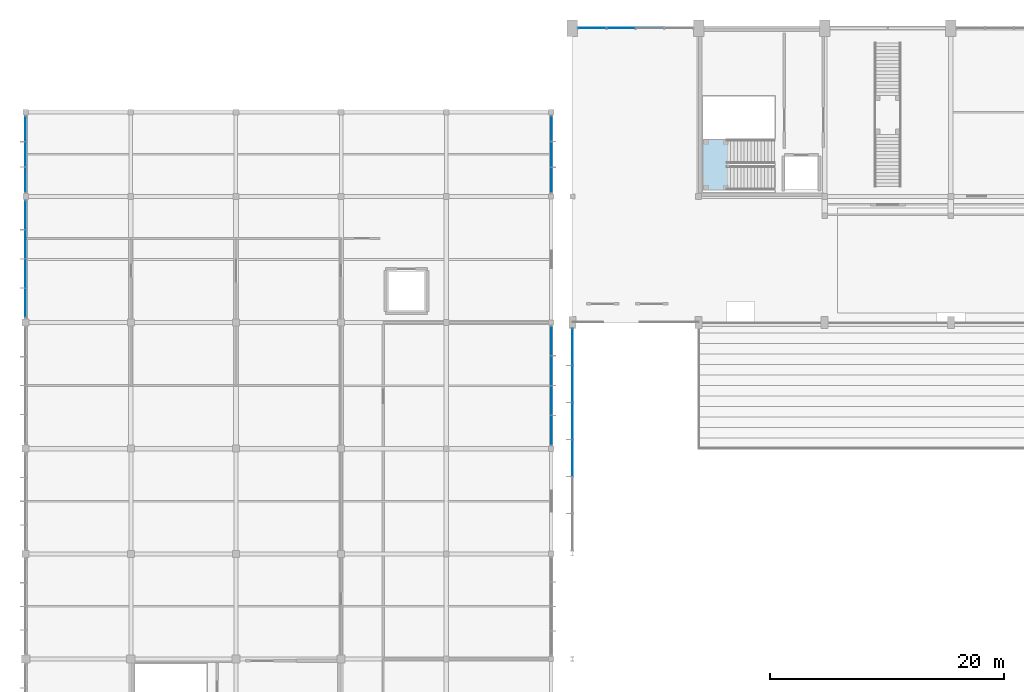
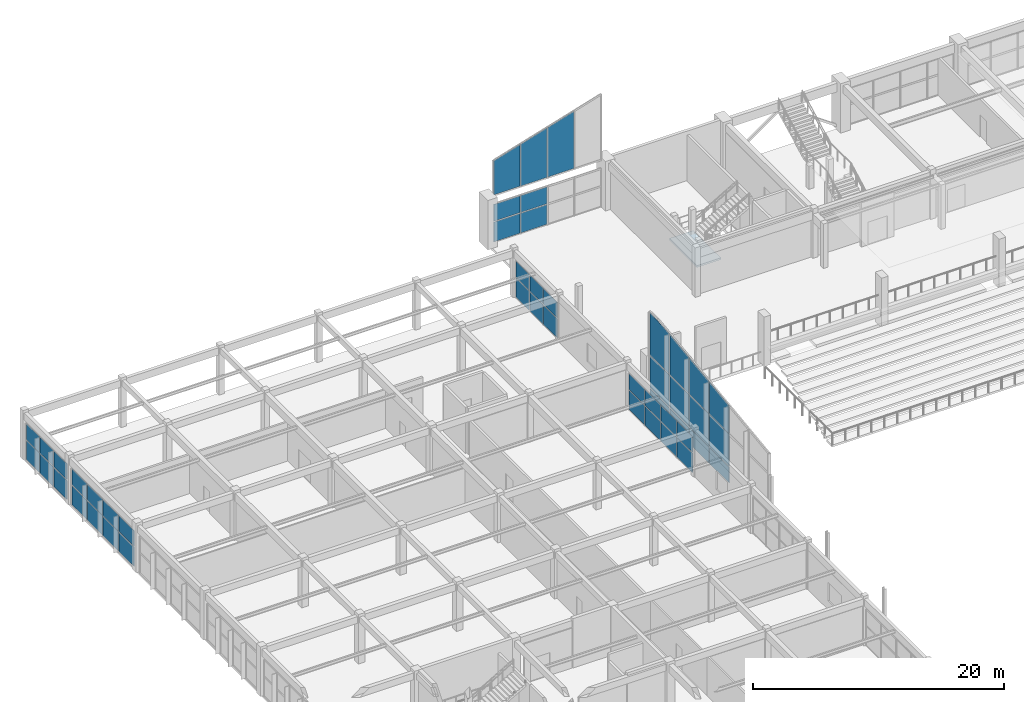
# One storey, part 42 of 74: 47 plates, 1 slab, 8 elements without a shape of their own.
"""IFC4 building model written with IfcOpenShell, lengths in metres."""

from ifc_helpers import new_model, si_unit, direction, frame, origin, place, context, subcontext, project, spatial, polyline, outline, extrude, material, layer, layer_set, type_object, element, aggregate, save


model = new_model("IFC4")

# Units and contexts
model_context = context("Model", 3, precision=1e-05, world=origin(), true_north=direction((0.0, 1.0)))
body_context = subcontext(model_context, "Body", "Model", "MODEL_VIEW")
ifc_project = project(units=[si_unit("LENGTHUNIT", "METRE"), si_unit("AREAUNIT", "SQUARE_METRE"), si_unit("VOLUMEUNIT", "CUBIC_METRE"), si_unit("PLANEANGLEUNIT", "RADIAN"), si_unit("MASSUNIT", "GRAM", prefix="KILO")], contexts=[model_context])

# Site, building, storey
site_placement = place(None, origin())
site = spatial("IfcSite", under=ifc_project, at=site_placement, CompositionType="ELEMENT")
building_placement = place(site_placement, origin())
building = spatial("IfcBuilding", under=site, at=building_placement, Name="Suirenkawa Promenade Aquatics Centre", CompositionType="ELEMENT")
storey_placement = place(building_placement, frame((0.0, 0.0, 4.800048828125)))
storey = spatial("IfcBuildingStorey", under=building, at=storey_placement, Name="L01", CompositionType="ELEMENT", Elevation=4.800048828125)

# Curtain wall, plates
ifc_material_1 = material(Name="Anodised aluminium 6063-T6", Category="aluminium")
curtain_wall_type_1 = type_object("IfcCurtainWallType", Name="CWAT-CLERN-06", PredefinedType="NOTDEFINED", material=ifc_material_1)
curtain_wall_1_placement = place(storey_placement, origin())
curtain_wall_1 = element("IfcCurtainWall", 1, at=curtain_wall_1_placement, inside=storey, type_object=curtain_wall_type_1, Name="Curtain wall CWA-06 CW-010", PredefinedType="NOTDEFINED")
ifc_material_2 = material(Name="Ceramic-fritted low-SHGC double glazing", Category="glass")
ifc_layer_1 = layer(ifc_material_2, 0.031982421875, Name="Ceramic-fritted low-SHGC double glazing", Category="glass")
ifc_layer_set_1 = layer_set([ifc_layer_1], Name="Ceramic-fritted low-SHGC double glazing")
plate_type_1 = type_object("IfcPlateType", Name="CWP-CLER-32", PredefinedType="CURTAIN_PANEL", material=ifc_layer_set_1)
plate_1_placement = place(storey_placement, frame((47.2490234375, 122.39990234375, 4.599853515625), z_axis=(0.0, 0.0, 1.0), x_axis=(1.0, 0.0, 0.0)))
plate_1 = element("IfcPlate", 2, at=plate_1_placement, type_object=plate_type_1, Name="Top glazed panel CP-03 CWP-00239", PredefinedType="CURTAIN_PANEL", context=body_context, shape_type="SweptSolid", body=[
    extrude(outline(polyline([(0.0400390625, 0.0), (2.435546875, 0.0), (2.435546875, 4.06005859375), (0.0400390625, 3.31005859375), (0.0400390625, 0.0)])), frame((0.0, 0.01611328125, 0.0), z_axis=(0.0, -1.0, 0.0), x_axis=(1.0, 0.0, 0.0)), (0.0, 0.0, 1.0), 0.031982421875),
])
plate_2_placement = place(storey_placement, frame((49.724609375, 122.39990234375, 4.599853515625), z_axis=(0.0, 0.0, 1.0), x_axis=(1.0, 0.0, 0.0)))
plate_2 = element("IfcPlate", 3, at=plate_2_placement, type_object=plate_type_1, Name="Top glazed panel CP-03 CWP-00240", PredefinedType="CURTAIN_PANEL", context=body_context, shape_type="SweptSolid", body=[
    extrude(outline(polyline([(0.0400390625, 0.0), (2.435546875, 0.0), (2.435546875, 4.81005859375), (0.0400390625, 4.06005859375), (0.0400390625, 0.0)])), frame((0.0, 0.01611328125, 0.0), z_axis=(0.0, -1.0, 0.0), x_axis=(1.0, 0.0, 0.0)), (0.0, 0.0, 1.0), 0.031982421875),
])
plate_3_placement = place(storey_placement, frame((52.199951171875, 122.39990234375, 4.599853515625), z_axis=(0.0, 0.0, 1.0), x_axis=(1.0, 0.0, 0.0)))
plate_3 = element("IfcPlate", 4, at=plate_3_placement, type_object=plate_type_1, Name="Top glazed panel CP-03 CWP-00241", PredefinedType="CURTAIN_PANEL", context=body_context, shape_type="SweptSolid", body=[
    extrude(outline(polyline([(0.0400390625, 0.0), (2.435546875, 0.0), (2.435546875, 5.56005859375), (0.0400390625, 4.81005859375), (0.0400390625, 0.0)])), frame((0.0, 0.01611328125, 0.0), z_axis=(0.0, -1.0, 0.0), x_axis=(1.0, 0.0, 0.0)), (0.0, 0.0, 1.0), 0.031982421875),
])
aggregate(curtain_wall_1, [plate_1, plate_2, plate_3])

curtain_wall_type_2 = type_object("IfcCurtainWallType", Name="CWAT-V1CONC-07", PredefinedType="NOTDEFINED", material=ifc_material_1)
curtain_wall_2_placement = place(storey_placement, origin())
curtain_wall_2 = element("IfcCurtainWall", 5, at=curtain_wall_2_placement, inside=storey, type_object=curtain_wall_type_2, Name="Curtain wall CWA-07 CW-011", PredefinedType="NOTDEFINED")
ifc_material_3 = material(Name="Low-E thermally broken double glazing", Category="glass")
ifc_layer_2 = layer(ifc_material_3, 0.028076171875, Name="Low-E thermally broken double glazing", Category="glass")
ifc_layer_set_2 = layer_set([ifc_layer_2], Name="Low-E thermally broken double glazing")
plate_type_2 = type_object("IfcPlateType", Name="CWP-LOWE-28", PredefinedType="CURTAIN_PANEL", material=ifc_layer_set_2)
plate_4_placement = place(storey_placement, frame((47.2490234375, 122.39990234375, 0.0400390625), z_axis=(0.0, 0.0, 1.0), x_axis=(1.0, 0.0, 0.0)))
plate_4 = element("IfcPlate", 6, at=plate_4_placement, type_object=plate_type_2, Name="Glazed panel CP-02 CWP-00257", PredefinedType="CURTAIN_PANEL", context=body_context, shape_type="SweptSolid", body=[
    extrude(outline(polyline([(0.0400390625, 0.0), (2.435546875, 0.0), (2.435546875, 1.919921875), (0.0400390625, 1.919921875), (0.0400390625, 0.0)])), frame((0.0, 0.01416015625, 0.0), z_axis=(0.0, -1.0, 0.0), x_axis=(1.0, 0.0, 0.0)), (0.0, 0.0, 1.0), 0.028076171875),
])
plate_5_placement = place(storey_placement, frame((47.2490234375, 122.39990234375, 2.0400390625), z_axis=(0.0, 0.0, 1.0), x_axis=(1.0, 0.0, 0.0)))
plate_5 = element("IfcPlate", 7, at=plate_5_placement, type_object=plate_type_2, Name="Top glazed panel CP-02 CWP-00258", PredefinedType="CURTAIN_PANEL", context=body_context, shape_type="SweptSolid", body=[
    extrude(outline(polyline([(0.0400390625, 0.0), (2.435546875, 0.0), (2.435546875, 1.639892578125), (0.0400390625, 1.639892578125), (0.0400390625, 0.0)])), frame((0.0, 0.01416015625, 0.0), z_axis=(0.0, -1.0, 0.0), x_axis=(1.0, 0.0, 0.0)), (0.0, 0.0, 1.0), 0.028076171875),
])
plate_6_placement = place(storey_placement, frame((49.724609375, 122.39990234375, 0.0400390625), z_axis=(0.0, 0.0, 1.0), x_axis=(1.0, 0.0, 0.0)))
plate_6 = element("IfcPlate", 8, at=plate_6_placement, type_object=plate_type_2, Name="Glazed panel CP-02 CWP-00259", PredefinedType="CURTAIN_PANEL", context=body_context, shape_type="SweptSolid", body=[
    extrude(outline(polyline([(0.0400390625, 0.0), (2.435546875, 0.0), (2.435546875, 1.919921875), (0.0400390625, 1.919921875), (0.0400390625, 0.0)])), frame((0.0, 0.01416015625, 0.0), z_axis=(0.0, -1.0, 0.0), x_axis=(1.0, 0.0, 0.0)), (0.0, 0.0, 1.0), 0.028076171875),
])
plate_7_placement = place(storey_placement, frame((49.724609375, 122.39990234375, 2.0400390625), z_axis=(0.0, 0.0, 1.0), x_axis=(1.0, 0.0, 0.0)))
plate_7 = element("IfcPlate", 9, at=plate_7_placement, type_object=plate_type_2, Name="Top glazed panel CP-02 CWP-00260", PredefinedType="CURTAIN_PANEL", context=body_context, shape_type="SweptSolid", body=[
    extrude(outline(polyline([(0.0400390625, 0.0), (2.435546875, 0.0), (2.435546875, 1.639892578125), (0.0400390625, 1.639892578125), (0.0400390625, 0.0)])), frame((0.0, 0.01416015625, 0.0), z_axis=(0.0, -1.0, 0.0), x_axis=(1.0, 0.0, 0.0)), (0.0, 0.0, 1.0), 0.028076171875),
])
aggregate(curtain_wall_2, [plate_4, plate_5, plate_6, plate_7])

curtain_wall_type_3 = type_object("IfcCurtainWallType", Name="CWAT-V5EL01-53", PredefinedType="NOTDEFINED", material=ifc_material_1)
curtain_wall_3_placement = place(storey_placement, origin())
curtain_wall_3 = element("IfcCurtainWall", 10, at=curtain_wall_3_placement, inside=storey, type_object=curtain_wall_type_3, Name="Curtain wall CWA-53 CW-109", PredefinedType="NOTDEFINED")
plate_8_placement = place(storey_placement, frame((45.0, 96.90087890625, 0.0400390625), z_axis=(0.0, 0.0, 1.0), x_axis=(0.0, -1.0, 0.0)))
plate_8 = element("IfcPlate", 11, at=plate_8_placement, type_object=plate_type_2, Name="Glazed panel CP-02 CWP-02201", PredefinedType="CURTAIN_PANEL", context=body_context, shape_type="SweptSolid", body=[
    extrude(outline(polyline([(0.0400390625, 0.0), (2.510498046875, 0.0), (2.510498046875, 1.869873046875), (0.0400390625, 1.869873046875), (0.0400390625, 0.0)])), frame((0.0, 0.01416015625, 0.0), z_axis=(0.0, -1.0, 0.0), x_axis=(1.0, 0.0, 0.0)), (0.0, 0.0, 1.0), 0.028076171875),
])
plate_9_placement = place(storey_placement, frame((45.0, 96.90087890625, 1.989990234375), z_axis=(0.0, 0.0, 1.0), x_axis=(0.0, -1.0, 0.0)))
plate_9 = element("IfcPlate", 12, at=plate_9_placement, type_object=plate_type_2, Name="Top glazed panel CP-02 CWP-02202", PredefinedType="CURTAIN_PANEL", context=body_context, shape_type="SweptSolid", body=[
    extrude(outline(polyline([(0.0400390625, 0.0), (2.510498046875, 0.0), (2.510498046875, 1.5400390625), (0.0400390625, 1.5400390625), (0.0400390625, 0.0)])), frame((0.0, 0.01416015625, 0.0), z_axis=(0.0, -1.0, 0.0), x_axis=(1.0, 0.0, 0.0)), (0.0, 0.0, 1.0), 0.028076171875),
])
plate_10_placement = place(storey_placement, frame((45.0, 94.3505859375, 0.0400390625), z_axis=(0.0, 0.0, 1.0), x_axis=(0.0, -1.0, 0.0)))
plate_10 = element("IfcPlate", 13, at=plate_10_placement, type_object=plate_type_2, Name="Glazed panel CP-02 CWP-02203", PredefinedType="CURTAIN_PANEL", context=body_context, shape_type="SweptSolid", body=[
    extrude(outline(polyline([(0.0400390625, 0.0), (2.510498046875, 0.0), (2.510498046875, 1.869873046875), (0.0400390625, 1.869873046875), (0.0400390625, 0.0)])), frame((0.0, 0.01416015625, 0.0), z_axis=(0.0, -1.0, 0.0), x_axis=(1.0, 0.0, 0.0)), (0.0, 0.0, 1.0), 0.028076171875),
])
plate_11_placement = place(storey_placement, frame((45.0, 94.3505859375, 1.989990234375), z_axis=(0.0, 0.0, 1.0), x_axis=(0.0, -1.0, 0.0)))
plate_11 = element("IfcPlate", 14, at=plate_11_placement, type_object=plate_type_2, Name="Top glazed panel CP-02 CWP-02204", PredefinedType="CURTAIN_PANEL", context=body_context, shape_type="SweptSolid", body=[
    extrude(outline(polyline([(0.0400390625, 0.0), (2.510498046875, 0.0), (2.510498046875, 1.5400390625), (0.0400390625, 1.5400390625), (0.0400390625, 0.0)])), frame((0.0, 0.01416015625, 0.0), z_axis=(0.0, -1.0, 0.0), x_axis=(1.0, 0.0, 0.0)), (0.0, 0.0, 1.0), 0.028076171875),
])
plate_12_placement = place(storey_placement, frame((45.0, 91.800048828125, 0.0400390625), z_axis=(0.0, 0.0, 1.0), x_axis=(0.0, -1.0, 0.0)))
plate_12 = element("IfcPlate", 15, at=plate_12_placement, type_object=plate_type_2, Name="Glazed panel CP-02 CWP-02205", PredefinedType="CURTAIN_PANEL", context=body_context, shape_type="SweptSolid", body=[
    extrude(outline(polyline([(0.0400390625, 0.0), (2.510498046875, 0.0), (2.510498046875, 1.869873046875), (0.0400390625, 1.869873046875), (0.0400390625, 0.0)])), frame((0.0, 0.01416015625, 0.0), z_axis=(0.0, -1.0, 0.0), x_axis=(1.0, 0.0, 0.0)), (0.0, 0.0, 1.0), 0.028076171875),
])
plate_13_placement = place(storey_placement, frame((45.0, 91.800048828125, 1.989990234375), z_axis=(0.0, 0.0, 1.0), x_axis=(0.0, -1.0, 0.0)))
plate_13 = element("IfcPlate", 16, at=plate_13_placement, type_object=plate_type_2, Name="Top glazed panel CP-02 CWP-02206", PredefinedType="CURTAIN_PANEL", context=body_context, shape_type="SweptSolid", body=[
    extrude(outline(polyline([(0.0400390625, 0.0), (2.510498046875, 0.0), (2.510498046875, 1.5400390625), (0.0400390625, 1.5400390625), (0.0400390625, 0.0)])), frame((0.0, 0.01416015625, 0.0), z_axis=(0.0, -1.0, 0.0), x_axis=(1.0, 0.0, 0.0)), (0.0, 0.0, 1.0), 0.028076171875),
])
plate_14_placement = place(storey_placement, frame((45.0, 89.24951171875, 0.0400390625), z_axis=(0.0, 0.0, 1.0), x_axis=(0.0, -1.0, 0.0)))
plate_14 = element("IfcPlate", 17, at=plate_14_placement, type_object=plate_type_2, Name="Glazed panel CP-02 CWP-02207", PredefinedType="CURTAIN_PANEL", context=body_context, shape_type="SweptSolid", body=[
    extrude(outline(polyline([(0.0400390625, 0.0), (2.510498046875, 0.0), (2.510498046875, 1.869873046875), (0.0400390625, 1.869873046875), (0.0400390625, 0.0)])), frame((0.0, 0.01416015625, 0.0), z_axis=(0.0, -1.0, 0.0), x_axis=(1.0, 0.0, 0.0)), (0.0, 0.0, 1.0), 0.028076171875),
])
plate_15_placement = place(storey_placement, frame((45.0, 89.24951171875, 1.989990234375), z_axis=(0.0, 0.0, 1.0), x_axis=(0.0, -1.0, 0.0)))
plate_15 = element("IfcPlate", 18, at=plate_15_placement, type_object=plate_type_2, Name="Top glazed panel CP-02 CWP-02208", PredefinedType="CURTAIN_PANEL", context=body_context, shape_type="SweptSolid", body=[
    extrude(outline(polyline([(0.0400390625, 0.0), (2.510498046875, 0.0), (2.510498046875, 1.5400390625), (0.0400390625, 1.5400390625), (0.0400390625, 0.0)])), frame((0.0, 0.01416015625, 0.0), z_axis=(0.0, -1.0, 0.0), x_axis=(1.0, 0.0, 0.0)), (0.0, 0.0, 1.0), 0.028076171875),
])
aggregate(curtain_wall_3, [plate_8, plate_9, plate_10, plate_11, plate_12, plate_13, plate_14, plate_15])

curtain_wall_type_4 = type_object("IfcCurtainWallType", Name="CWAT-V5EL01-59", PredefinedType="NOTDEFINED", material=ifc_material_1)
curtain_wall_4_placement = place(storey_placement, origin())
curtain_wall_4 = element("IfcCurtainWall", 19, at=curtain_wall_4_placement, inside=storey, type_object=curtain_wall_type_4, Name="Curtain wall CWA-59 CW-112", PredefinedType="NOTDEFINED")
plate_16_placement = place(storey_placement, frame((45.0, 114.90087890625, 0.0400390625), z_axis=(0.0, 0.0, 1.0), x_axis=(0.0, -1.0, 0.0)))
plate_16 = element("IfcPlate", 20, at=plate_16_placement, type_object=plate_type_2, Name="Glazed panel CP-02 CWP-02259", PredefinedType="CURTAIN_PANEL", context=body_context, shape_type="SweptSolid", body=[
    extrude(outline(polyline([(0.0400390625, 0.0), (2.16064453125, 0.0), (2.16064453125, 1.869873046875), (0.0400390625, 1.869873046875), (0.0400390625, 0.0)])), frame((0.0, 0.01416015625, 0.0), z_axis=(0.0, -1.0, 0.0), x_axis=(1.0, 0.0, 0.0)), (0.0, 0.0, 1.0), 0.028076171875),
])
plate_17_placement = place(storey_placement, frame((45.0, 114.90087890625, 1.989990234375), z_axis=(0.0, 0.0, 1.0), x_axis=(0.0, -1.0, 0.0)))
plate_17 = element("IfcPlate", 21, at=plate_17_placement, type_object=plate_type_2, Name="Top glazed panel CP-02 CWP-02260", PredefinedType="CURTAIN_PANEL", context=body_context, shape_type="SweptSolid", body=[
    extrude(outline(polyline([(0.0400390625, 0.0), (2.16064453125, 0.0), (2.16064453125, 1.5400390625), (0.0400390625, 1.5400390625), (0.0400390625, 0.0)])), frame((0.0, 0.01416015625, 0.0), z_axis=(0.0, -1.0, 0.0), x_axis=(1.0, 0.0, 0.0)), (0.0, 0.0, 1.0), 0.028076171875),
])
plate_18_placement = place(storey_placement, frame((45.0, 112.700439453125, 0.0400390625), z_axis=(0.0, 0.0, 1.0), x_axis=(0.0, -1.0, 0.0)))
plate_18 = element("IfcPlate", 22, at=plate_18_placement, type_object=plate_type_2, Name="Glazed panel CP-02 CWP-02261", PredefinedType="CURTAIN_PANEL", context=body_context, shape_type="SweptSolid", body=[
    extrude(outline(polyline([(0.0400390625, 0.0), (2.16064453125, 0.0), (2.16064453125, 1.869873046875), (0.0400390625, 1.869873046875), (0.0400390625, 0.0)])), frame((0.0, 0.01416015625, 0.0), z_axis=(0.0, -1.0, 0.0), x_axis=(1.0, 0.0, 0.0)), (0.0, 0.0, 1.0), 0.028076171875),
])
plate_19_placement = place(storey_placement, frame((45.0, 112.700439453125, 1.989990234375), z_axis=(0.0, 0.0, 1.0), x_axis=(0.0, -1.0, 0.0)))
plate_19 = element("IfcPlate", 23, at=plate_19_placement, type_object=plate_type_2, Name="Top glazed panel CP-02 CWP-02262", PredefinedType="CURTAIN_PANEL", context=body_context, shape_type="SweptSolid", body=[
    extrude(outline(polyline([(0.0400390625, 0.0), (2.16064453125, 0.0), (2.16064453125, 1.5400390625), (0.0400390625, 1.5400390625), (0.0400390625, 0.0)])), frame((0.0, 0.01416015625, 0.0), z_axis=(0.0, -1.0, 0.0), x_axis=(1.0, 0.0, 0.0)), (0.0, 0.0, 1.0), 0.028076171875),
])
plate_20_placement = place(storey_placement, frame((45.0, 110.499755859375, 0.0400390625), z_axis=(0.0, 0.0, 1.0), x_axis=(0.0, -1.0, 0.0)))
plate_20 = element("IfcPlate", 24, at=plate_20_placement, type_object=plate_type_2, Name="Glazed panel CP-02 CWP-02263", PredefinedType="CURTAIN_PANEL", context=body_context, shape_type="SweptSolid", body=[
    extrude(outline(polyline([(0.0400390625, 0.0), (2.16064453125, 0.0), (2.16064453125, 1.869873046875), (0.0400390625, 1.869873046875), (0.0400390625, 0.0)])), frame((0.0, 0.01416015625, 0.0), z_axis=(0.0, -1.0, 0.0), x_axis=(1.0, 0.0, 0.0)), (0.0, 0.0, 1.0), 0.028076171875),
])
plate_21_placement = place(storey_placement, frame((45.0, 110.499755859375, 1.989990234375), z_axis=(0.0, 0.0, 1.0), x_axis=(0.0, -1.0, 0.0)))
plate_21 = element("IfcPlate", 25, at=plate_21_placement, type_object=plate_type_2, Name="Top glazed panel CP-02 CWP-02264", PredefinedType="CURTAIN_PANEL", context=body_context, shape_type="SweptSolid", body=[
    extrude(outline(polyline([(0.0400390625, 0.0), (2.16064453125, 0.0), (2.16064453125, 1.5400390625), (0.0400390625, 1.5400390625), (0.0400390625, 0.0)])), frame((0.0, 0.01416015625, 0.0), z_axis=(0.0, -1.0, 0.0), x_axis=(1.0, 0.0, 0.0)), (0.0, 0.0, 1.0), 0.028076171875),
])
aggregate(curtain_wall_4, [plate_16, plate_17, plate_18, plate_19, plate_20, plate_21])

curtain_wall_type_5 = type_object("IfcCurtainWallType", Name="CWAT-GABLEV1-04", PredefinedType="NOTDEFINED", material=ifc_material_1)
curtain_wall_5_placement = place(storey_placement, origin())
curtain_wall_5 = element("IfcCurtainWall", 26, at=curtain_wall_5_placement, inside=storey, type_object=curtain_wall_type_5, Name="Curtain wall CWA-04 CW-004", PredefinedType="NOTDEFINED")
ifc_layer_3 = layer(ifc_material_2, 0.035888671875, Name="Ceramic-fritted low-SHGC double glazing", Category="glass")
ifc_layer_set_3 = layer_set([ifc_layer_3], Name="Ceramic-fritted low-SHGC double glazing")
plate_type_3 = type_object("IfcPlateType", Name="CWP-SHOJI-36", PredefinedType="CURTAIN_PANEL", material=ifc_layer_set_3)
plate_22_placement = place(storey_placement, frame((46.800048828125, 84.032958984375, 0.0400390625), z_axis=(0.0, 0.0, 1.0), x_axis=(0.0, 1.0, 0.0)))
plate_22 = element("IfcPlate", 27, at=plate_22_placement, type_object=plate_type_3, Name="Glazed panel CP-01 CWP-00091", PredefinedType="CURTAIN_PANEL", context=body_context, shape_type="SweptSolid", body=[
    extrude(outline(polyline([(0.0400390625, 0.0), (3.126953125, 0.0), (3.126953125, 1.52001953125), (0.0400390625, 1.52001953125), (0.0400390625, 0.0)])), frame((0.0, 0.01806640625, 0.0), z_axis=(0.0, -1.0, 0.0), x_axis=(1.0, 0.0, 0.0)), (0.0, 0.0, 1.0), 0.035888671875),
])
plate_23_placement = place(storey_placement, frame((46.800048828125, 84.032958984375, 1.639892578125), z_axis=(0.0, 0.0, 1.0), x_axis=(0.0, 1.0, 0.0)))
plate_23 = element("IfcPlate", 28, at=plate_23_placement, type_object=plate_type_3, Name="Glazed panel CP-01 CWP-00092", PredefinedType="CURTAIN_PANEL", context=body_context, shape_type="SweptSolid", body=[
    extrude(outline(polyline([(0.0400390625, 0.0), (3.126953125, 0.0), (3.126953125, 3.1201171875), (0.0400390625, 3.1201171875), (0.0400390625, 0.0)])), frame((0.0, 0.01806640625, 0.0), z_axis=(0.0, -1.0, 0.0), x_axis=(1.0, 0.0, 0.0)), (0.0, 0.0, 1.0), 0.035888671875),
])
plate_24_placement = place(storey_placement, frame((46.800048828125, 84.032958984375, 4.83984375), z_axis=(0.0, 0.0, 1.0), x_axis=(0.0, 1.0, 0.0)))
plate_24 = element("IfcPlate", 29, at=plate_24_placement, type_object=plate_type_3, Name="Top glazed panel CP-01 CWP-00093", PredefinedType="CURTAIN_PANEL", context=body_context, shape_type="SweptSolid", body=[
    extrude(outline(polyline([(0.0400390625, 0.0), (3.126953125, 0.0), (3.126953125, 3.11328125), (0.0400390625, 2.705078125), (0.0400390625, 0.0)])), frame((0.0, 0.01806640625, 0.0), z_axis=(0.0, -1.0, 0.0), x_axis=(1.0, 0.0, 0.0)), (0.0, 0.0, 1.0), 0.035888671875),
])
plate_25_placement = place(storey_placement, frame((46.800048828125, 87.199951171875, 0.0400390625), z_axis=(0.0, 0.0, 1.0), x_axis=(0.0, 1.0, 0.0)))
plate_25 = element("IfcPlate", 30, at=plate_25_placement, type_object=plate_type_3, Name="Glazed panel CP-01 CWP-00094", PredefinedType="CURTAIN_PANEL", context=body_context, shape_type="SweptSolid", body=[
    extrude(outline(polyline([(0.0400390625, 0.0), (3.126953125, 0.0), (3.126953125, 1.52001953125), (0.0400390625, 1.52001953125), (0.0400390625, 0.0)])), frame((0.0, 0.01806640625, 0.0), z_axis=(0.0, -1.0, 0.0), x_axis=(1.0, 0.0, 0.0)), (0.0, 0.0, 1.0), 0.035888671875),
])
plate_26_placement = place(storey_placement, frame((46.800048828125, 87.199951171875, 1.639892578125), z_axis=(0.0, 0.0, 1.0), x_axis=(0.0, 1.0, 0.0)))
plate_26 = element("IfcPlate", 31, at=plate_26_placement, type_object=plate_type_3, Name="Glazed panel CP-01 CWP-00095", PredefinedType="CURTAIN_PANEL", context=body_context, shape_type="SweptSolid", body=[
    extrude(outline(polyline([(0.0400390625, 0.0), (3.126953125, 0.0), (3.126953125, 3.1201171875), (0.0400390625, 3.1201171875), (0.0400390625, 0.0)])), frame((0.0, 0.01806640625, 0.0), z_axis=(0.0, -1.0, 0.0), x_axis=(1.0, 0.0, 0.0)), (0.0, 0.0, 1.0), 0.035888671875),
])
plate_27_placement = place(storey_placement, frame((46.800048828125, 87.199951171875, 4.83984375), z_axis=(0.0, 0.0, 1.0), x_axis=(0.0, 1.0, 0.0)))
plate_27 = element("IfcPlate", 32, at=plate_27_placement, type_object=plate_type_3, Name="Top glazed panel CP-01 CWP-00096", PredefinedType="CURTAIN_PANEL", context=body_context, shape_type="SweptSolid", body=[
    extrude(outline(polyline([(0.0400390625, 0.0), (3.126953125, 0.0), (3.126953125, 3.521484375), (0.0400390625, 3.11328125), (0.0400390625, 0.0)])), frame((0.0, 0.01806640625, 0.0), z_axis=(0.0, -1.0, 0.0), x_axis=(1.0, 0.0, 0.0)), (0.0, 0.0, 1.0), 0.035888671875),
])
plate_28_placement = place(storey_placement, frame((46.800048828125, 90.366943359375, 0.0400390625), z_axis=(0.0, 0.0, 1.0), x_axis=(0.0, 1.0, 0.0)))
plate_28 = element("IfcPlate", 33, at=plate_28_placement, type_object=plate_type_3, Name="Glazed panel CP-01 CWP-00097", PredefinedType="CURTAIN_PANEL", context=body_context, shape_type="SweptSolid", body=[
    extrude(outline(polyline([(0.0400390625, 0.0), (3.126953125, 0.0), (3.126953125, 1.52001953125), (0.0400390625, 1.52001953125), (0.0400390625, 0.0)])), frame((0.0, 0.01806640625, 0.0), z_axis=(0.0, -1.0, 0.0), x_axis=(1.0, 0.0, 0.0)), (0.0, 0.0, 1.0), 0.035888671875),
])
plate_29_placement = place(storey_placement, frame((46.800048828125, 90.366943359375, 1.639892578125), z_axis=(0.0, 0.0, 1.0), x_axis=(0.0, 1.0, 0.0)))
plate_29 = element("IfcPlate", 34, at=plate_29_placement, type_object=plate_type_3, Name="Glazed panel CP-01 CWP-00098", PredefinedType="CURTAIN_PANEL", context=body_context, shape_type="SweptSolid", body=[
    extrude(outline(polyline([(0.0400390625, 0.0), (3.126953125, 0.0), (3.126953125, 3.1201171875), (0.0400390625, 3.1201171875), (0.0400390625, 0.0)])), frame((0.0, 0.01806640625, 0.0), z_axis=(0.0, -1.0, 0.0), x_axis=(1.0, 0.0, 0.0)), (0.0, 0.0, 1.0), 0.035888671875),
])
plate_30_placement = place(storey_placement, frame((46.800048828125, 90.366943359375, 4.83984375), z_axis=(0.0, 0.0, 1.0), x_axis=(0.0, 1.0, 0.0)))
plate_30 = element("IfcPlate", 35, at=plate_30_placement, type_object=plate_type_3, Name="Top glazed panel CP-01 CWP-00099", PredefinedType="CURTAIN_PANEL", context=body_context, shape_type="SweptSolid", body=[
    extrude(outline(polyline([(0.0400390625, 0.0), (3.126953125, 0.0), (3.126953125, 3.9296875), (0.0400390625, 3.521484375), (0.0400390625, 0.0)])), frame((0.0, 0.01806640625, 0.0), z_axis=(0.0, -1.0, 0.0), x_axis=(1.0, 0.0, 0.0)), (0.0, 0.0, 1.0), 0.035888671875),
])
plate_31_placement = place(storey_placement, frame((46.800048828125, 93.533935546875, 0.0400390625), z_axis=(0.0, 0.0, 1.0), x_axis=(0.0, 1.0, 0.0)))
plate_31 = element("IfcPlate", 36, at=plate_31_placement, type_object=plate_type_3, Name="Glazed panel CP-01 CWP-00100", PredefinedType="CURTAIN_PANEL", context=body_context, shape_type="SweptSolid", body=[
    extrude(outline(polyline([(0.0400390625, 0.0), (3.126953125, 0.0), (3.126953125, 1.52001953125), (0.0400390625, 1.52001953125), (0.0400390625, 0.0)])), frame((0.0, 0.01806640625, 0.0), z_axis=(0.0, -1.0, 0.0), x_axis=(1.0, 0.0, 0.0)), (0.0, 0.0, 1.0), 0.035888671875),
])
plate_32_placement = place(storey_placement, frame((46.800048828125, 93.533935546875, 1.639892578125), z_axis=(0.0, 0.0, 1.0), x_axis=(0.0, 1.0, 0.0)))
plate_32 = element("IfcPlate", 37, at=plate_32_placement, type_object=plate_type_3, Name="Glazed panel CP-01 CWP-00101", PredefinedType="CURTAIN_PANEL", context=body_context, shape_type="SweptSolid", body=[
    extrude(outline(polyline([(0.0400390625, 0.0), (3.126953125, 0.0), (3.126953125, 3.1201171875), (0.0400390625, 3.1201171875), (0.0400390625, 0.0)])), frame((0.0, 0.01806640625, 0.0), z_axis=(0.0, -1.0, 0.0), x_axis=(1.0, 0.0, 0.0)), (0.0, 0.0, 1.0), 0.035888671875),
])
plate_33_placement = place(storey_placement, frame((46.800048828125, 93.533935546875, 4.83984375), z_axis=(0.0, 0.0, 1.0), x_axis=(0.0, 1.0, 0.0)))
plate_33 = element("IfcPlate", 38, at=plate_33_placement, type_object=plate_type_3, Name="Top glazed panel CP-01 CWP-00102", PredefinedType="CURTAIN_PANEL", context=body_context, shape_type="SweptSolid", body=[
    extrude(outline(polyline([(0.0400390625, 0.0), (3.126953125, 0.0), (3.126953125, 4.1171875), (0.0400390625, 3.9296875), (0.0400390625, 0.0)])), frame((0.0, 0.01806640625, 0.0), z_axis=(0.0, -1.0, 0.0), x_axis=(1.0, 0.0, 0.0)), (0.0, 0.0, 1.0), 0.035888671875),
])
aggregate(curtain_wall_5, [plate_22, plate_23, plate_24, plate_25, plate_26, plate_27, plate_28, plate_29, plate_30, plate_31, plate_32, plate_33])

curtain_wall_type_6 = type_object("IfcCurtainWallType", Name="CWAT-V5WL01-57", PredefinedType="NOTDEFINED", material=ifc_material_1)
curtain_wall_6_placement = place(storey_placement, origin())
curtain_wall_6 = element("IfcCurtainWall", 39, at=curtain_wall_6_placement, inside=storey, type_object=curtain_wall_type_6, Name="Curtain wall CWA-57 CW-110", PredefinedType="NOTDEFINED")
plate_34_placement = place(storey_placement, frame((0.0, 97.64892578125, 0.0400390625), z_axis=(0.0, 0.0, 1.0), x_axis=(0.0, 1.0, 0.0)))
plate_34 = element("IfcPlate", 40, at=plate_34_placement, type_object=plate_type_3, Name="Glazed panel CP-01 CWP-02223", PredefinedType="CURTAIN_PANEL", context=body_context, shape_type="SweptSolid", body=[
    extrude(outline(polyline([(0.0400390625, 0.0), (2.46044921875, 0.0), (2.46044921875, 1.869873046875), (0.0400390625, 1.869873046875), (0.0400390625, 0.0)])), frame((0.0, 0.01806640625, 0.0), z_axis=(0.0, -1.0, 0.0), x_axis=(1.0, 0.0, 0.0)), (0.0, 0.0, 1.0), 0.035888671875),
])
plate_35_placement = place(storey_placement, frame((0.0, 97.64892578125, 1.989990234375), z_axis=(0.0, 0.0, 1.0), x_axis=(0.0, 1.0, 0.0)))
plate_35 = element("IfcPlate", 41, at=plate_35_placement, type_object=plate_type_3, Name="Top glazed panel CP-01 CWP-02224", PredefinedType="CURTAIN_PANEL", context=body_context, shape_type="SweptSolid", body=[
    extrude(outline(polyline([(0.0400390625, 0.0), (2.46044921875, 0.0), (2.46044921875, 1.5400390625), (0.0400390625, 1.5400390625), (0.0400390625, 0.0)])), frame((0.0, 0.01806640625, 0.0), z_axis=(0.0, -1.0, 0.0), x_axis=(1.0, 0.0, 0.0)), (0.0, 0.0, 1.0), 0.035888671875),
])
plate_36_placement = place(storey_placement, frame((0.0, 100.1494140625, 0.0400390625), z_axis=(0.0, 0.0, 1.0), x_axis=(0.0, 1.0, 0.0)))
plate_36 = element("IfcPlate", 42, at=plate_36_placement, type_object=plate_type_3, Name="Glazed panel CP-01 CWP-02225", PredefinedType="CURTAIN_PANEL", context=body_context, shape_type="SweptSolid", body=[
    extrude(outline(polyline([(0.0400390625, 0.0), (2.46044921875, 0.0), (2.46044921875, 1.869873046875), (0.0400390625, 1.869873046875), (0.0400390625, 0.0)])), frame((0.0, 0.01806640625, 0.0), z_axis=(0.0, -1.0, 0.0), x_axis=(1.0, 0.0, 0.0)), (0.0, 0.0, 1.0), 0.035888671875),
])
plate_37_placement = place(storey_placement, frame((0.0, 100.1494140625, 1.989990234375), z_axis=(0.0, 0.0, 1.0), x_axis=(0.0, 1.0, 0.0)))
plate_37 = element("IfcPlate", 43, at=plate_37_placement, type_object=plate_type_3, Name="Top glazed panel CP-01 CWP-02226", PredefinedType="CURTAIN_PANEL", context=body_context, shape_type="SweptSolid", body=[
    extrude(outline(polyline([(0.0400390625, 0.0), (2.46044921875, 0.0), (2.46044921875, 1.5400390625), (0.0400390625, 1.5400390625), (0.0400390625, 0.0)])), frame((0.0, 0.01806640625, 0.0), z_axis=(0.0, -1.0, 0.0), x_axis=(1.0, 0.0, 0.0)), (0.0, 0.0, 1.0), 0.035888671875),
])
plate_38_placement = place(storey_placement, frame((0.0, 102.64990234375, 0.0400390625), z_axis=(0.0, 0.0, 1.0), x_axis=(0.0, 1.0, 0.0)))
plate_38 = element("IfcPlate", 44, at=plate_38_placement, type_object=plate_type_3, Name="Glazed panel CP-01 CWP-02227", PredefinedType="CURTAIN_PANEL", context=body_context, shape_type="SweptSolid", body=[
    extrude(outline(polyline([(0.0400390625, 0.0), (2.46044921875, 0.0), (2.46044921875, 1.869873046875), (0.0400390625, 1.869873046875), (0.0400390625, 0.0)])), frame((0.0, 0.01806640625, 0.0), z_axis=(0.0, -1.0, 0.0), x_axis=(1.0, 0.0, 0.0)), (0.0, 0.0, 1.0), 0.035888671875),
])
plate_39_placement = place(storey_placement, frame((0.0, 102.64990234375, 1.989990234375), z_axis=(0.0, 0.0, 1.0), x_axis=(0.0, 1.0, 0.0)))
plate_39 = element("IfcPlate", 45, at=plate_39_placement, type_object=plate_type_3, Name="Top glazed panel CP-01 CWP-02228", PredefinedType="CURTAIN_PANEL", context=body_context, shape_type="SweptSolid", body=[
    extrude(outline(polyline([(0.0400390625, 0.0), (2.46044921875, 0.0), (2.46044921875, 1.5400390625), (0.0400390625, 1.5400390625), (0.0400390625, 0.0)])), frame((0.0, 0.01806640625, 0.0), z_axis=(0.0, -1.0, 0.0), x_axis=(1.0, 0.0, 0.0)), (0.0, 0.0, 1.0), 0.035888671875),
])
plate_40_placement = place(storey_placement, frame((0.0, 105.150390625, 0.0400390625), z_axis=(0.0, 0.0, 1.0), x_axis=(0.0, 1.0, 0.0)))
plate_40 = element("IfcPlate", 46, at=plate_40_placement, type_object=plate_type_3, Name="Glazed panel CP-01 CWP-02229", PredefinedType="CURTAIN_PANEL", context=body_context, shape_type="SweptSolid", body=[
    extrude(outline(polyline([(0.0400390625, 0.0), (2.46044921875, 0.0), (2.46044921875, 1.869873046875), (0.0400390625, 1.869873046875), (0.0400390625, 0.0)])), frame((0.0, 0.01806640625, 0.0), z_axis=(0.0, -1.0, 0.0), x_axis=(1.0, 0.0, 0.0)), (0.0, 0.0, 1.0), 0.035888671875),
])
plate_41_placement = place(storey_placement, frame((0.0, 105.150390625, 1.989990234375), z_axis=(0.0, 0.0, 1.0), x_axis=(0.0, 1.0, 0.0)))
plate_41 = element("IfcPlate", 47, at=plate_41_placement, type_object=plate_type_3, Name="Top glazed panel CP-01 CWP-02230", PredefinedType="CURTAIN_PANEL", context=body_context, shape_type="SweptSolid", body=[
    extrude(outline(polyline([(0.0400390625, 0.0), (2.46044921875, 0.0), (2.46044921875, 1.5400390625), (0.0400390625, 1.5400390625), (0.0400390625, 0.0)])), frame((0.0, 0.01806640625, 0.0), z_axis=(0.0, -1.0, 0.0), x_axis=(1.0, 0.0, 0.0)), (0.0, 0.0, 1.0), 0.035888671875),
])
aggregate(curtain_wall_6, [plate_34, plate_35, plate_36, plate_37, plate_38, plate_39, plate_40, plate_41])

curtain_wall_type_7 = type_object("IfcCurtainWallType", Name="CWAT-V5WL01-58", PredefinedType="NOTDEFINED", material=ifc_material_1)
curtain_wall_7_placement = place(storey_placement, origin())
curtain_wall_7 = element("IfcCurtainWall", 48, at=curtain_wall_7_placement, inside=storey, type_object=curtain_wall_type_7, Name="Curtain wall CWA-58 CW-111", PredefinedType="NOTDEFINED")
plate_42_placement = place(storey_placement, frame((0.0, 108.34912109375, 0.0400390625), z_axis=(0.0, 0.0, 1.0), x_axis=(0.0, 1.0, 0.0)))
plate_42 = element("IfcPlate", 49, at=plate_42_placement, type_object=plate_type_3, Name="Glazed panel CP-01 CWP-02242", PredefinedType="CURTAIN_PANEL", context=body_context, shape_type="SweptSolid", body=[
    extrude(outline(polyline([(0.0400390625, 0.0), (2.12744140625, 0.0), (2.12744140625, 1.869873046875), (0.0400390625, 1.869873046875), (0.0400390625, 0.0)])), frame((0.0, 0.01806640625, 0.0), z_axis=(0.0, -1.0, 0.0), x_axis=(1.0, 0.0, 0.0)), (0.0, 0.0, 1.0), 0.035888671875),
])
plate_43_placement = place(storey_placement, frame((0.0, 108.34912109375, 1.989990234375), z_axis=(0.0, 0.0, 1.0), x_axis=(0.0, 1.0, 0.0)))
plate_43 = element("IfcPlate", 50, at=plate_43_placement, type_object=plate_type_3, Name="Top glazed panel CP-01 CWP-02243", PredefinedType="CURTAIN_PANEL", context=body_context, shape_type="SweptSolid", body=[
    extrude(outline(polyline([(0.0400390625, 0.0), (2.12744140625, 0.0), (2.12744140625, 1.5400390625), (0.0400390625, 1.5400390625), (0.0400390625, 0.0)])), frame((0.0, 0.01806640625, 0.0), z_axis=(0.0, -1.0, 0.0), x_axis=(1.0, 0.0, 0.0)), (0.0, 0.0, 1.0), 0.035888671875),
])
plate_44_placement = place(storey_placement, frame((0.0, 110.516357421875, 0.0400390625), z_axis=(0.0, 0.0, 1.0), x_axis=(0.0, 1.0, 0.0)))
plate_44 = element("IfcPlate", 51, at=plate_44_placement, type_object=plate_type_3, Name="Glazed panel CP-01 CWP-02244", PredefinedType="CURTAIN_PANEL", context=body_context, shape_type="SweptSolid", body=[
    extrude(outline(polyline([(0.0400390625, 0.0), (2.12744140625, 0.0), (2.12744140625, 1.869873046875), (0.0400390625, 1.869873046875), (0.0400390625, 0.0)])), frame((0.0, 0.01806640625, 0.0), z_axis=(0.0, -1.0, 0.0), x_axis=(1.0, 0.0, 0.0)), (0.0, 0.0, 1.0), 0.035888671875),
])
plate_45_placement = place(storey_placement, frame((0.0, 110.516357421875, 1.989990234375), z_axis=(0.0, 0.0, 1.0), x_axis=(0.0, 1.0, 0.0)))
plate_45 = element("IfcPlate", 52, at=plate_45_placement, type_object=plate_type_3, Name="Top glazed panel CP-01 CWP-02245", PredefinedType="CURTAIN_PANEL", context=body_context, shape_type="SweptSolid", body=[
    extrude(outline(polyline([(0.0400390625, 0.0), (2.12744140625, 0.0), (2.12744140625, 1.5400390625), (0.0400390625, 1.5400390625), (0.0400390625, 0.0)])), frame((0.0, 0.01806640625, 0.0), z_axis=(0.0, -1.0, 0.0), x_axis=(1.0, 0.0, 0.0)), (0.0, 0.0, 1.0), 0.035888671875),
])
plate_46_placement = place(storey_placement, frame((0.0, 112.68359375, 0.0400390625), z_axis=(0.0, 0.0, 1.0), x_axis=(0.0, 1.0, 0.0)))
plate_46 = element("IfcPlate", 53, at=plate_46_placement, type_object=plate_type_3, Name="Glazed panel CP-01 CWP-02246", PredefinedType="CURTAIN_PANEL", context=body_context, shape_type="SweptSolid", body=[
    extrude(outline(polyline([(0.0400390625, 0.0), (2.12744140625, 0.0), (2.12744140625, 1.869873046875), (0.0400390625, 1.869873046875), (0.0400390625, 0.0)])), frame((0.0, 0.01806640625, 0.0), z_axis=(0.0, -1.0, 0.0), x_axis=(1.0, 0.0, 0.0)), (0.0, 0.0, 1.0), 0.035888671875),
])
plate_47_placement = place(storey_placement, frame((0.0, 112.68359375, 1.989990234375), z_axis=(0.0, 0.0, 1.0), x_axis=(0.0, 1.0, 0.0)))
plate_47 = element("IfcPlate", 54, at=plate_47_placement, type_object=plate_type_3, Name="Top glazed panel CP-01 CWP-02247", PredefinedType="CURTAIN_PANEL", context=body_context, shape_type="SweptSolid", body=[
    extrude(outline(polyline([(0.0400390625, 0.0), (2.12744140625, 0.0), (2.12744140625, 1.5400390625), (0.0400390625, 1.5400390625), (0.0400390625, 0.0)])), frame((0.0, 0.01806640625, 0.0), z_axis=(0.0, -1.0, 0.0), x_axis=(1.0, 0.0, 0.0)), (0.0, 0.0, 1.0), 0.035888671875),
])
aggregate(curtain_wall_7, [plate_42, plate_43, plate_44, plate_45, plate_46, plate_47])

# Stair, slab
ifc_material_4 = material(Name="Concrete M40", Category="concrete")
stair_type = type_object("IfcStairType", Name="STT-CORE-2100-480", PredefinedType="TWO_STRAIGHT_RUN_STAIR", material=ifc_material_4)
stair_placement = place(storey_placement, origin())
stair = element("IfcStair", 55, at=stair_placement, inside=storey, type_object=stair_type, Name="Protected exit stair STR-01 ST-13", PredefinedType="TWO_STRAIGHT_RUN_STAIR")
ifc_layer_4 = layer(ifc_material_4, 0.169921875, Name="Concrete M40", Category="concrete")
ifc_layer_set_4 = layer_set([ifc_layer_4], Name="Concrete M40")
slab_type = type_object("IfcSlabType", Name="SLT-LANDING-170", PredefinedType="LANDING", material=ifc_layer_set_4)
slab_placement = place(storey_placement, frame((0.0, 0.0, 2.219970703125)))
slab = element("IfcSlab", 56, at=slab_placement, type_object=slab_type, Name="Stair landing SL-LND-01 SL-8013", PredefinedType="LANDING", context=body_context, shape_type="SweptSolid", body=[
    extrude(outline(polyline([(57.9599609375, 108.52001953125), (60.14990234375, 108.52001953125), (60.14990234375, 112.909912109375), (57.9599609375, 112.909912109375), (57.9599609375, 108.52001953125)])), origin(), (0.0, 0.0, 1.0), 0.179931640625),
])
aggregate(stair, [slab])

save(model, "model.ifc")
